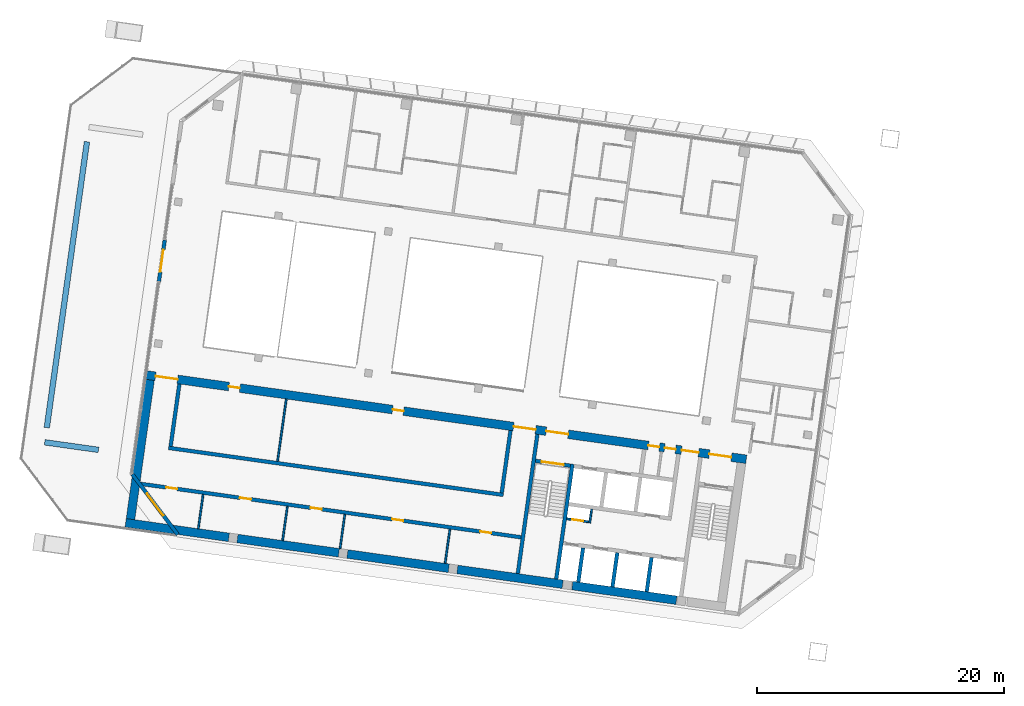
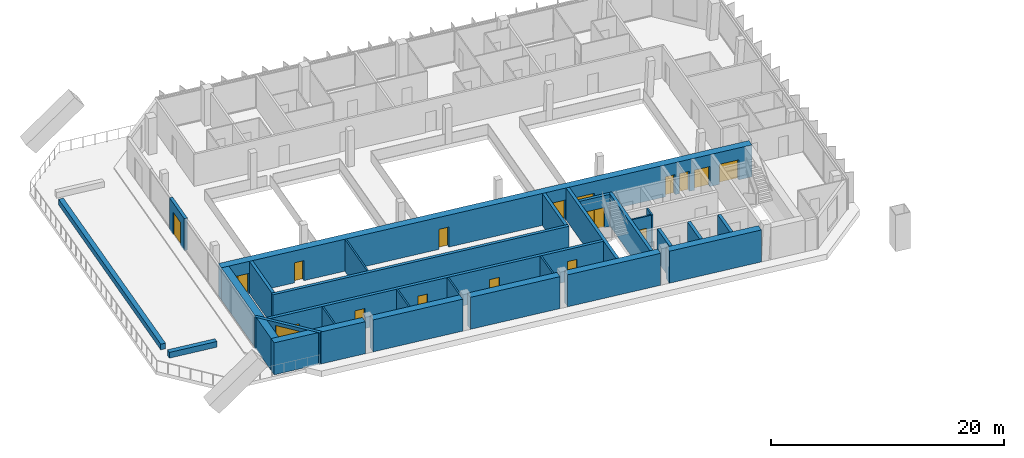
# One storey, part 13 of 23: 28 walls, 17 doors, 1 window, 18 openings.
"""IFC4 building model written with IfcOpenShell, lengths in metres."""

from ifc_helpers import new_model, si_unit, direction, frame, frame_2d, origin, place, context, subcontext, project, spatial, rectangle, extrude, material, layer, layer_set, type_object, element, fill, save


model = new_model("IFC4")

# Units and contexts
model_context = context("Model", 3, precision=1e-05, world=origin(), true_north=direction((0.0, 1.0)))
body_context = subcontext(model_context, "Body", "Model", "MODEL_VIEW")
ifc_project = project(units=[si_unit("LENGTHUNIT", "METRE"), si_unit("AREAUNIT", "SQUARE_METRE"), si_unit("VOLUMEUNIT", "CUBIC_METRE"), si_unit("PLANEANGLEUNIT", "RADIAN"), si_unit("MASSUNIT", "GRAM", prefix="KILO")], contexts=[model_context])

# Site, building, storey
site_placement = place(None, origin())
site = spatial("IfcSite", under=ifc_project, at=site_placement, CompositionType="ELEMENT")
building_placement = place(site_placement, origin())
building = spatial("IfcBuilding", under=site, at=building_placement, Name="Mirante Cascada Hotel Towers", CompositionType="ELEMENT")
storey_placement = place(building_placement, frame((0.0, 0.0, 180.2)))
storey = spatial("IfcBuildingStorey", under=building, at=storey_placement, Name="L42", CompositionType="ELEMENT", Elevation=180.2)

# Wall
ifc_material_1 = material(Name="Masonry block", Category="masonry")
ifc_layer_1 = layer(ifc_material_1, 0.15)
ifc_layer_set_1 = layer_set([ifc_layer_1], Name="Core room partition 150 block EI 30")
wall_type_1 = type_object("IfcWallType", Name="Core room partition 150 block EI 30", PredefinedType="PARTITIONING", material=ifc_layer_set_1)
wall_1_placement = place(storey_placement, frame((-48.2295, -12.793, 0.0), z_axis=(0.0, 0.0, 1.0), x_axis=(0.1391935, 0.9902652, 0.0)))
element("IfcWall", 1, at=wall_1_placement, inside=storey, type_object=wall_type_1, Name="Core wall partition T1 L42 2", PredefinedType="PARTITIONING", context=body_context, shape_type="SweptSolid", body=[
    extrude(rectangle(XDim=1.1251, YDim=0.15, at=frame_2d((0.5626, 0.0))), origin(), (0.0, 0.0, 1.0), 3.35),
])

# Wall, opening, door
wall_2_placement = place(storey_placement, frame((-48.2933, -12.7083, 0.0), z_axis=(0.0, 0.0, 1.0), x_axis=(-0.990268, 0.1391734, 0.0)))
wall_2 = element("IfcWall", 2, at=wall_2_placement, inside=storey, type_object=wall_type_1, Name="Core wall partition T1 L42 3", PredefinedType="PARTITIONING", context=body_context, shape_type="SweptSolid", body=[
    extrude(rectangle(XDim=1.8251, YDim=0.15, at=frame_2d((0.9126, 0.0))), origin(), (0.0, 0.0, 1.0), 3.35),
])
opening_1_placement = place(wall_2_placement, frame((0.4625, 0.0, 0.0)))
opening_1 = element("IfcOpeningElement", 3, at=opening_1_placement, cuts=wall_2, Name="Opening D1-42-C15", PredefinedType="OPENING", context=body_context, shape_type="SweptSolid", body=[
    extrude(rectangle(XDim=0.9, YDim=2.1, at=frame_2d((0.45, 1.05))), frame((0.0, 0.075, 0.0), z_axis=(0.0, -1.0, 0.0), x_axis=(1.0, 0.0, 0.0)), (0.0, 0.0, 1.0), 0.15),
])
ifc_material_2 = material(Name="Hollow metal fire door leaf")
door_type_1 = type_object("IfcDoorType", Name="Fire door 900x2100 FD60", OperationType="NOTDEFINED", PredefinedType="DOOR", material=ifc_material_2)
door_1_placement = place(opening_1_placement, origin())
door_1 = element("IfcDoor", 4, at=door_1_placement, inside=storey, type_object=door_type_1, Name="Riser door T1 L42 15", OperationType="SINGLE_SWING_LEFT", OverallHeight=2.1, OverallWidth=0.9, PredefinedType="DOOR", context=body_context, shape_type="SweptSolid", body=[
    extrude(rectangle(XDim=0.9, YDim=2.1, at=frame_2d((0.45, 1.05))), frame((0.0, 0.025, 0.0), z_axis=(0.0, -1.0, 0.0), x_axis=(1.0, 0.0, 0.0)), (0.0, 0.0, 1.0), 0.05),
])
fill(opening_1, door_1)

# Walls
for number, where, z_axis, x_axis, name in (
    (5, (-59.9495, -16.0688, 0.0), (0.0, 0.0, 1.0), (0.139176, 0.9902677, 0.0), "Core wall partition T1 L42 6"),
    (6, (-68.4658, -14.8719, 0.0), (0.0, 0.0, 1.0), (0.139176, 0.9902677, 0.0), "Core wall partition T1 L42 7"),
    (7, (-73.12, -14.2178, 0.0), (0.0, 0.0, 1.0), (0.139176, 0.9902677, 0.0), "Core wall partition T1 L42 8"),
    (8, (-79.9529, -13.2575, 0.0), (0.0, 0.0, 1.0), (0.139176, 0.9902677, 0.0), "Core wall partition T1 L42 9"),
):
    element("IfcWall", number, at=place(storey_placement, frame(where, z_axis=z_axis, x_axis=x_axis)), inside=storey, type_object=wall_type_1, Name=name, PredefinedType="PARTITIONING", context=body_context, shape_type="SweptSolid", body=[
        extrude(rectangle(XDim=2.8001, YDim=0.15, at=frame_2d((1.4, 0.0))), origin(), (0.0, 0.0, 1.0), 3.35),
    ])
wall_3_placement = place(storey_placement, frame((-73.5306, -7.7981, 0.0), z_axis=(0.0, 0.0, 1.0), x_axis=(0.1391782, 0.9902673, 0.0)))
element("IfcWall", 9, at=wall_3_placement, inside=storey, type_object=wall_type_1, Name="Core wall partition T1 L42 10", PredefinedType="PARTITIONING", context=body_context, shape_type="SweptSolid", body=[
    extrude(rectangle(XDim=5.0999, YDim=0.15, at=frame_2d((2.55, 0.0))), origin(), (0.0, 0.0, 1.0), 3.35),
])

# Wall, openings, doors
ifc_material_3 = material(Name="Masonry block", Category="masonry")
ifc_layer_2 = layer(ifc_material_3, 0.3)
ifc_layer_set_2 = layer_set([ifc_layer_2], Name="Core wall 300 block EI 120")
wall_type_2 = type_object("IfcWallType", Name="Core wall 300 block EI 120", PredefinedType="PARTITIONING", material=ifc_layer_set_2)
wall_4_placement = place(storey_placement, frame((-53.7953, -13.9547, 0.0), z_axis=(0.0, 0.0, 1.0), x_axis=(-0.9902681, 0.1391729, 0.0)))
wall_4 = element("IfcWall", 10, at=wall_4_placement, inside=storey, type_object=wall_type_2, Name="Core wall partition T1 L42 5", PredefinedType="PARTITIONING", context=body_context, shape_type="SweptSolid", body=[
    extrude(rectangle(XDim=31.2, YDim=0.3, at=frame_2d((15.6, 0.0))), origin(), (0.0, 0.0, 1.0), 3.35),
])
opening_2_placement = place(wall_4_placement, frame((2.45, 0.0, 0.0)))
opening_2 = element("IfcOpeningElement", 11, at=opening_2_placement, cuts=wall_4, Name="Opening D1-42-C18", PredefinedType="OPENING", context=body_context, shape_type="SweptSolid", body=[
    extrude(rectangle(XDim=0.9, YDim=2.1, at=frame_2d((0.45, 1.05))), frame((0.0, 0.15, 0.0), z_axis=(0.0, -1.0, 0.0), x_axis=(1.0, 0.0, 0.0)), (0.0, 0.0, 1.0), 0.3),
])
opening_3_placement = place(wall_4_placement, frame((9.65, 0.0, 0.0)))
opening_3 = element("IfcOpeningElement", 12, at=opening_3_placement, cuts=wall_4, Name="Opening D1-42-C19", PredefinedType="OPENING", context=body_context, shape_type="SweptSolid", body=[
    extrude(rectangle(XDim=0.9, YDim=2.1, at=frame_2d((0.45, 1.05))), frame((0.0, 0.15, 0.0), z_axis=(0.0, -1.0, 0.0), x_axis=(1.0, 0.0, 0.0)), (0.0, 0.0, 1.0), 0.3),
])
opening_4_placement = place(wall_4_placement, frame((16.3, 0.0, 0.0)))
opening_4 = element("IfcOpeningElement", 13, at=opening_4_placement, cuts=wall_4, Name="Opening D1-42-C20", PredefinedType="OPENING", context=body_context, shape_type="SweptSolid", body=[
    extrude(rectangle(XDim=0.9, YDim=2.1, at=frame_2d((0.45, 1.05))), frame((0.0, 0.15, 0.0), z_axis=(0.0, -1.0, 0.0), x_axis=(1.0, 0.0, 0.0)), (0.0, 0.0, 1.0), 0.3),
])
opening_5_placement = place(wall_4_placement, frame((22.1, 0.0, 0.0)))
opening_5 = element("IfcOpeningElement", 14, at=opening_5_placement, cuts=wall_4, Name="Opening D1-42-C21", PredefinedType="OPENING", context=body_context, shape_type="SweptSolid", body=[
    extrude(rectangle(XDim=0.9, YDim=2.1, at=frame_2d((0.45, 1.05))), frame((0.0, 0.15, 0.0), z_axis=(0.0, -1.0, 0.0), x_axis=(1.0, 0.0, 0.0)), (0.0, 0.0, 1.0), 0.3),
])
opening_6_placement = place(wall_4_placement, frame((28.15, 0.0, 0.0)))
opening_6 = element("IfcOpeningElement", 15, at=opening_6_placement, cuts=wall_4, Name="Opening D1-42-C22", PredefinedType="OPENING", context=body_context, shape_type="SweptSolid", body=[
    extrude(rectangle(XDim=0.9, YDim=2.1, at=frame_2d((0.45, 1.05))), frame((0.0, 0.15, 0.0), z_axis=(0.0, -1.0, 0.0), x_axis=(1.0, 0.0, 0.0)), (0.0, 0.0, 1.0), 0.3),
])
door_2_placement = place(opening_2_placement, origin())
door_2 = element("IfcDoor", 16, at=door_2_placement, inside=storey, type_object=door_type_1, Name="Room door T1 L42 18", OperationType="SINGLE_SWING_RIGHT", OverallHeight=2.1, OverallWidth=0.9, PredefinedType="DOOR", context=body_context, shape_type="SweptSolid", body=[
    extrude(rectangle(XDim=0.9, YDim=2.1, at=frame_2d((0.45, 1.05))), frame((0.0, 0.025, 0.0), z_axis=(0.0, -1.0, 0.0), x_axis=(1.0, 0.0, 0.0)), (0.0, 0.0, 1.0), 0.05),
])
fill(opening_2, door_2)
door_3_placement = place(opening_3_placement, origin())
door_3 = element("IfcDoor", 17, at=door_3_placement, inside=storey, type_object=door_type_1, Name="Room door T1 L42 19", OperationType="SINGLE_SWING_RIGHT", OverallHeight=2.1, OverallWidth=0.9, PredefinedType="DOOR", context=body_context, shape_type="SweptSolid", body=[
    extrude(rectangle(XDim=0.9, YDim=2.1, at=frame_2d((0.45, 1.05))), frame((0.0, 0.025, 0.0), z_axis=(0.0, -1.0, 0.0), x_axis=(1.0, 0.0, 0.0)), (0.0, 0.0, 1.0), 0.05),
])
fill(opening_3, door_3)
door_4_placement = place(opening_4_placement, origin())
door_4 = element("IfcDoor", 18, at=door_4_placement, inside=storey, type_object=door_type_1, Name="Room door T1 L42 20", OperationType="SINGLE_SWING_LEFT", OverallHeight=2.1, OverallWidth=0.9, PredefinedType="DOOR", context=body_context, shape_type="SweptSolid", body=[
    extrude(rectangle(XDim=0.9, YDim=2.1, at=frame_2d((0.45, 1.05))), frame((0.0, 0.025, 0.0), z_axis=(0.0, -1.0, 0.0), x_axis=(1.0, 0.0, 0.0)), (0.0, 0.0, 1.0), 0.05),
])
fill(opening_4, door_4)
door_5_placement = place(opening_5_placement, origin())
door_5 = element("IfcDoor", 19, at=door_5_placement, inside=storey, type_object=door_type_1, Name="Room door T1 L42 21", OperationType="SINGLE_SWING_LEFT", OverallHeight=2.1, OverallWidth=0.9, PredefinedType="DOOR", context=body_context, shape_type="SweptSolid", body=[
    extrude(rectangle(XDim=0.9, YDim=2.1, at=frame_2d((0.45, 1.05))), frame((0.0, 0.025, 0.0), z_axis=(0.0, -1.0, 0.0), x_axis=(1.0, 0.0, 0.0)), (0.0, 0.0, 1.0), 0.05),
])
fill(opening_5, door_5)
door_6_placement = place(opening_6_placement, origin())
door_6 = element("IfcDoor", 20, at=door_6_placement, inside=storey, type_object=door_type_1, Name="Room door T1 L42 22", OperationType="SINGLE_SWING_LEFT", OverallHeight=2.1, OverallWidth=0.9, PredefinedType="DOOR", context=body_context, shape_type="SweptSolid", body=[
    extrude(rectangle(XDim=0.9, YDim=2.1, at=frame_2d((0.45, 1.05))), frame((0.0, 0.025, 0.0), z_axis=(0.0, -1.0, 0.0), x_axis=(1.0, 0.0, 0.0)), (0.0, 0.0, 1.0), 0.05),
])
fill(opening_6, door_6)

# Walls
ifc_material_4 = material(Name="Precast concrete C40/50", Category="concrete")
ifc_layer_3 = layer(ifc_material_4, 0.45)
ifc_layer_set_3 = layer_set([ifc_layer_3], Name="Planter wall 450 concrete C40/50")
wall_type_3 = type_object("IfcWallType", Name="Planter wall 450 concrete C40/50", PredefinedType="PARAPET", material=ifc_layer_set_3)
wall_5_placement = place(storey_placement, frame((-88.0426, -6.8694, 0.0), z_axis=(0.0, 0.0, 1.0), x_axis=(-0.9902696, 0.1391619, 0.0)))
element("IfcWall", 21, at=wall_5_placement, inside=storey, type_object=wall_type_3, Name="PLANTER T1 L42 bed 1", PredefinedType="PARAPET", context=body_context, shape_type="SweptSolid", body=[
    extrude(rectangle(XDim=4.3999, YDim=0.45, at=frame_2d((2.2, 0.0))), origin(), (0.0, 0.0, 1.0), 0.6),
])
wall_6_placement = place(storey_placement, frame((-92.2327, -5.0687, 0.0), z_axis=(0.0, 0.0, 1.0), x_axis=(0.1391714, 0.9902683, 0.0)))
element("IfcWall", 22, at=wall_6_placement, inside=storey, type_object=wall_type_3, Name="PLANTER T1 L42 bed 3", PredefinedType="PARAPET", context=body_context, shape_type="SweptSolid", body=[
    extrude(rectangle(XDim=23.3999, YDim=0.45, at=frame_2d((11.7, 0.0))), origin(), (0.0, 0.0, 1.0), 0.6),
])

# Wall, opening, window
ifc_material_5 = material(Name="Precast concrete C40/50", Category="concrete")
ifc_layer_4 = layer(ifc_material_5, 0.3)
ifc_layer_set_4 = layer_set([ifc_layer_4], Name="Precast concrete C40/50 cladding wall 300")
wall_type_4 = type_object("IfcWallType", Name="Precast concrete C40/50 cladding wall 300", PredefinedType="STANDARD", material=ifc_layer_set_4)
wall_7_placement = place(storey_placement, frame((-81.6175, -13.7366, 0.0), z_axis=(0.0, 0.0, 1.0), x_axis=(-0.6018141, 0.7986362, 0.0)))
wall_7 = element("IfcWall", 23, at=wall_7_placement, inside=storey, type_object=wall_type_4, Name="Corner cladding wall T1 L42 rear outer", PredefinedType="STANDARD", context=body_context, shape_type="SweptSolid", body=[
    extrude(rectangle(XDim=6.1157, YDim=0.3, at=frame_2d((3.0578, 0.0))), origin(), (0.0, 0.0, 1.0), 3.35),
])
opening_7_placement = place(wall_7_placement, frame((1.9578, 0.0, 0.6)))
opening_7 = element("IfcOpeningElement", 24, at=opening_7_placement, cuts=wall_7, Name="Opening W1-42-01", PredefinedType="OPENING", context=body_context, shape_type="SweptSolid", body=[
    extrude(rectangle(XDim=2.2, YDim=2.4, at=frame_2d((1.1, 1.2))), frame((0.0, 0.15, 0.0), z_axis=(0.0, -1.0, 0.0), x_axis=(1.0, 0.0, 0.0)), (0.0, 0.0, 1.0), 0.3),
])
ifc_material_6 = material(Name="Aluminium frame with clear double glazing", Category="aluminium")
window_type = type_object("IfcWindowType", Name="Corner suite window 2200x2400", PartitioningType="DOUBLE_PANEL_VERTICAL", PredefinedType="WINDOW", material=ifc_material_6)
window_placement = place(opening_7_placement, origin())
window = element("IfcWindow", 25, at=window_placement, inside=storey, type_object=window_type, Name="Window W1-42-01", OverallHeight=2.4, OverallWidth=2.2, PartitioningType="SINGLE_PANEL", PredefinedType="WINDOW", context=body_context, shape_type="SweptSolid", body=[
    extrude(rectangle(XDim=2.2, YDim=2.4, at=frame_2d((1.1, 1.2))), frame((0.0, 0.03, 0.0), z_axis=(0.0, -1.0, 0.0), x_axis=(1.0, 0.0, 0.0)), (0.0, 0.0, 1.0), 0.06),
])
fill(opening_7, window)

# Wall, opening, door
ifc_material_7 = material(Name="Precast concrete C40/50", Category="concrete")
ifc_layer_5 = layer(ifc_material_7, 0.3)
ifc_layer_set_5 = layer_set([ifc_layer_5], Name="Precast concrete C40/50 terrace wall 300")
wall_type_5 = type_object("IfcWallType", Name="Precast concrete C40/50 terrace wall 300", PredefinedType="STANDARD", material=ifc_layer_set_5)
wall_8_placement = place(storey_placement, frame((-83.145, 6.7818, 0.0), z_axis=(0.0, 0.0, 1.0), x_axis=(0.1391769, 0.9902675, 0.0)))
wall_8 = element("IfcWall", 26, at=wall_8_placement, inside=storey, type_object=wall_type_5, Name="Lounge door pier wall T1 L42 2", PredefinedType="STANDARD", context=body_context, shape_type="SweptSolid", body=[
    extrude(rectangle(XDim=3.4, YDim=0.3, at=frame_2d((1.7, 0.0))), origin(), (0.0, 0.0, 1.0), 3.35),
])
opening_8_placement = place(wall_8_placement, frame((0.8, 0.0, 0.0)))
opening_8 = element("IfcOpeningElement", 27, at=opening_8_placement, cuts=wall_8, Name="Opening D1-42-91", PredefinedType="OPENING", context=body_context, shape_type="SweptSolid", body=[
    extrude(rectangle(XDim=1.8, YDim=2.4, at=frame_2d((0.9, 1.2))), frame((0.0, 0.15, 0.0), z_axis=(0.0, -1.0, 0.0), x_axis=(1.0, 0.0, 0.0)), (0.0, 0.0, 1.0), 0.3),
])
ifc_material_8 = material(Name="Aluminium frame with clear laminated glazing", Category="aluminium")
door_type_2 = type_object("IfcDoorType", Name="Terrace double door 1800x2400", OperationType="DOUBLE_DOOR_SINGLE_SWING", PredefinedType="DOOR", material=ifc_material_8)
door_7_placement = place(opening_8_placement, origin())
door_7 = element("IfcDoor", 28, at=door_7_placement, inside=storey, type_object=door_type_2, Name="Terrace door D1-42-91", OperationType="DOUBLE_DOOR_SINGLE_SWING", OverallHeight=2.4, OverallWidth=1.8, PredefinedType="DOOR", context=body_context, shape_type="SweptSolid", body=[
    extrude(rectangle(XDim=0.895, YDim=2.4, at=frame_2d((0.4475, 1.2))), frame((0.0, 0.025, 0.0), z_axis=(0.0, -1.0, 0.0), x_axis=(1.0, 0.0, 0.0)), (0.0, 0.0, 1.0), 0.05),
    extrude(rectangle(XDim=0.895, YDim=2.4, at=frame_2d((1.3525, 1.2))), frame((0.0, 0.025, 0.0), z_axis=(0.0, -1.0, 0.0), x_axis=(1.0, 0.0, 0.0)), (0.0, 0.0, 1.0), 0.05),
])
fill(opening_8, door_7)

# Walls
ifc_material_9 = material(Name="Concrete C50/60", Category="concrete")
ifc_layer_6 = layer(ifc_material_9, 0.3)
ifc_layer_set_6 = layer_set([ifc_layer_6], Name="RC core wall 300 C50/60")
wall_type_6 = type_object("IfcWallType", Name="RC core wall 300 C50/60", PredefinedType="SHEAR", material=ifc_layer_set_6)
wall_9_placement = place(storey_placement, frame((-50.938, -17.3352, 0.0), z_axis=(0.0, 0.0, 1.0), x_axis=(0.1391706, 0.9902684, 0.0)))
element("IfcWall", 29, at=wall_9_placement, inside=storey, type_object=wall_type_6, Name="Core wall T1:L42:6", PredefinedType="SHEAR", context=body_context, shape_type="SweptSolid", body=[
    extrude(rectangle(XDim=9.4, YDim=0.3, at=frame_2d((4.7, 0.0))), origin(), (0.0, 0.0, 1.0), 3.35),
])
wall_10_placement = place(storey_placement, frame((-54.0574, -16.8968, 0.0), z_axis=(0.0, 0.0, 1.0), x_axis=(0.1391761, 0.9902677, 0.0)))
element("IfcWall", 30, at=wall_10_placement, inside=storey, type_object=wall_type_6, Name="Core wall T1:L42:7", PredefinedType="SHEAR", context=body_context, shape_type="SweptSolid", body=[
    extrude(rectangle(XDim=11.3999, YDim=0.3, at=frame_2d((5.7, 0.0))), origin(), (0.0, 0.0, 1.0), 3.35),
])

# Wall, opening, door
wall_11_placement = place(storey_placement, frame((-49.7992, -8.1544, 0.0), z_axis=(0.0, 0.0, 1.0), x_axis=(-0.9902656, 0.1391909, 0.0)))
wall_11 = element("IfcWall", 31, at=wall_11_placement, inside=storey, type_object=wall_type_6, Name="Core wall T1:L42:9", PredefinedType="SHEAR", context=body_context, shape_type="SweptSolid", body=[
    extrude(rectangle(XDim=2.85, YDim=0.3, at=frame_2d((1.425, 0.0))), origin(), (0.0, 0.0, 1.0), 3.35),
])
opening_9_placement = place(wall_11_placement, frame((0.525, 0.0, 0.0)))
opening_9 = element("IfcOpeningElement", 32, at=opening_9_placement, cuts=wall_11, Name="Opening D1-42-C09", PredefinedType="OPENING", context=body_context, shape_type="SweptSolid", body=[
    extrude(rectangle(XDim=1.8, YDim=2.1, at=frame_2d((0.9, 1.05))), frame((0.0, 0.15, 0.0), z_axis=(0.0, -1.0, 0.0), x_axis=(1.0, 0.0, 0.0)), (0.0, 0.0, 1.0), 0.3),
])
ifc_material_10 = material(Name="Hollow metal fire door leaf")
door_type_3 = type_object("IfcDoorType", Name="Double fire door 1800x2100 FD60", OperationType="DOUBLE_DOOR_SINGLE_SWING", PredefinedType="DOOR", material=ifc_material_10)
door_8_placement = place(opening_9_placement, origin())
door_8 = element("IfcDoor", 33, at=door_8_placement, inside=storey, type_object=door_type_3, Name="Stair door T1 L42 9", OperationType="DOUBLE_DOOR_SINGLE_SWING", OverallHeight=2.1, OverallWidth=1.8, PredefinedType="DOOR", context=body_context, shape_type="SweptSolid", body=[
    extrude(rectangle(XDim=0.895, YDim=2.1, at=frame_2d((0.4475, 1.05))), frame((0.0, 0.025, 0.0), z_axis=(0.0, -1.0, 0.0), x_axis=(1.0, 0.0, 0.0)), (0.0, 0.0, 1.0), 0.05),
    extrude(rectangle(XDim=0.895, YDim=2.1, at=frame_2d((1.3525, 1.05))), frame((0.0, 0.025, 0.0), z_axis=(0.0, -1.0, 0.0), x_axis=(1.0, 0.0, 0.0)), (0.0, 0.0, 1.0), 0.05),
])
fill(opening_9, door_8)

# Walls
wall_12_placement = place(storey_placement, frame((-43.61, -18.3651, 0.0), z_axis=(0.0, 0.0, 1.0), x_axis=(0.1391459, 0.9902719, 0.0)))
element("IfcWall", 34, at=wall_12_placement, inside=storey, type_object=wall_type_6, Name="Core wall T1:L42:13", PredefinedType="SHEAR", context=body_context, shape_type="SweptSolid", body=[
    extrude(rectangle(XDim=2.7999, YDim=0.3, at=frame_2d((1.4, 0.0))), origin(), (0.0, 0.0, 1.0), 3.35),
])
wall_13_placement = place(storey_placement, frame((-46.3828, -17.9754, 0.0), z_axis=(0.0, 0.0, 1.0), x_axis=(0.139181, 0.990267, 0.0)))
element("IfcWall", 35, at=wall_13_placement, inside=storey, type_object=wall_type_6, Name="Core wall T1:L42:14", PredefinedType="SHEAR", context=body_context, shape_type="SweptSolid", body=[
    extrude(rectangle(XDim=2.8, YDim=0.3, at=frame_2d((1.4, 0.0))), origin(), (0.0, 0.0, 1.0), 3.35),
])
wall_14_placement = place(storey_placement, frame((-49.1555, -17.5857, 0.0), z_axis=(0.0, 0.0, 1.0), x_axis=(0.1391459, 0.9902719, 0.0)))
element("IfcWall", 36, at=wall_14_placement, inside=storey, type_object=wall_type_6, Name="Core wall T1:L42:15", PredefinedType="SHEAR", context=body_context, shape_type="SweptSolid", body=[
    extrude(rectangle(XDim=2.7999, YDim=0.3, at=frame_2d((1.4, 0.0))), origin(), (0.0, 0.0, 1.0), 3.35),
])
wall_15_placement = place(storey_placement, frame((-55.2315, -10.5214, 0.0), z_axis=(0.0, 0.0, 1.0), x_axis=(-0.9902677, 0.1391754, 0.0)))
element("IfcWall", 37, at=wall_15_placement, inside=storey, type_object=wall_type_6, Name="Core wall T1:L42:28", PredefinedType="SHEAR", context=body_context, shape_type="SweptSolid", body=[
    extrude(rectangle(XDim=27.4, YDim=0.3, at=frame_2d((13.7, 0.0))), origin(), (0.0, 0.0, 1.0), 3.35),
])
for number, where, z_axis, x_axis, name in (
    (38, (-55.3592, -10.352, 0.0), (0.0, 0.0, 1.0), (0.1391755, 0.9902677, 0.0), "Core wall T1:L42:29"),
    (39, (-82.1954, -6.5804, 0.0), (0.0, 0.0, 1.0), (0.1391755, 0.9902677, 0.0), "Core wall T1:L42:30"),
):
    element("IfcWall", number, at=place(storey_placement, frame(where, z_axis=z_axis, x_axis=x_axis)), inside=storey, type_object=wall_type_6, Name=name, PredefinedType="SHEAR", context=body_context, shape_type="SweptSolid", body=[
        extrude(rectangle(XDim=5.1, YDim=0.3, at=frame_2d((2.55, 0.0))), origin(), (0.0, 0.0, 1.0), 3.35),
    ])
ifc_material_11 = material(Name="Concrete C50/60", Category="concrete")
ifc_layer_7 = layer(ifc_material_11, 0.7)
ifc_layer_set_7 = layer_set([ifc_layer_7], Name="RC core wall 700 C50/60")
wall_type_7 = type_object("IfcWallType", Name="RC core wall 700 C50/60", PredefinedType="SHEAR", material=ifc_layer_set_7)
wall_16_placement = place(storey_placement, frame((-41.2009, -19.0571, 0.0), z_axis=(0.0, 0.0, 1.0), x_axis=(-0.9902693, 0.1391646, 0.0)))
element("IfcWall", 40, at=wall_16_placement, inside=storey, type_object=wall_type_7, Name="Core wall T1:L42:1.2", PredefinedType="SHEAR", context=body_context, shape_type="SweptSolid", body=[
    extrude(rectangle(XDim=8.5252, YDim=0.7, at=frame_2d((4.2626, 0.0))), origin(), (0.0, 0.0, 1.0), 3.35),
])
wall_17_placement = place(storey_placement, frame((-50.4262, -17.7606, 0.0), z_axis=(0.0, 0.0, 1.0), x_axis=(-0.9902684, 0.1391705, 0.0)))
element("IfcWall", 41, at=wall_17_placement, inside=storey, type_object=wall_type_7, Name="Core wall T1:L42:1.3", PredefinedType="SHEAR", context=body_context, shape_type="SweptSolid", body=[
    extrude(rectangle(XDim=8.616, YDim=0.7, at=frame_2d((4.308, 0.0))), origin(), (0.0, 0.0, 1.0), 3.35),
])
for number, where, z_axis, x_axis, name in (
    (42, (-59.6516, -16.4641, 0.0), (0.0, 0.0, 1.0), (-0.990267, 0.139181, 0.0), "Core wall T1:L42:1.4"),
    (43, (-68.564, -15.2115, 0.0), (0.0, 0.0, 1.0), (-0.9902686, 0.1391692, 0.0), "Core wall T1:L42:1.5"),
):
    element("IfcWall", number, at=place(storey_placement, frame(where, z_axis=z_axis, x_axis=x_axis)), inside=storey, type_object=wall_type_7, Name=name, PredefinedType="SHEAR", context=body_context, shape_type="SweptSolid", body=[
        extrude(rectangle(XDim=8.3, YDim=0.7, at=frame_2d((4.15, 0.0))), origin(), (0.0, 0.0, 1.0), 3.35),
    ])
wall_18_placement = place(storey_placement, frame((-77.4764, -13.9589, 0.0), z_axis=(0.0, 0.0, 1.0), x_axis=(-0.9902684, 0.1391711, 0.0)))
element("IfcWall", 44, at=wall_18_placement, inside=storey, type_object=wall_type_7, Name="Core wall T1:L42:1.6", PredefinedType="SHEAR", context=body_context, shape_type="SweptSolid", body=[
    extrude(rectangle(XDim=8.45, YDim=0.7, at=frame_2d((4.225, 0.0))), origin(), (0.0, 0.0, 1.0), 3.35),
])

# Wall, openings, doors
wall_19_placement = place(storey_placement, frame((-35.538, -7.6341, 0.0), z_axis=(0.0, 0.0, 1.0), x_axis=(-0.9902681, 0.139173, 0.0)))
wall_19 = element("IfcWall", 45, at=wall_19_placement, inside=storey, type_object=wall_type_7, Name="Core wall T1:L42:2", PredefinedType="SHEAR", context=body_context, shape_type="SweptSolid", body=[
    extrude(rectangle(XDim=49.1, YDim=0.7, at=frame_2d((24.55, 0.0))), origin(), (0.0, 0.0, 1.0), 3.35),
])
opening_10_placement = place(wall_19_placement, frame((1.225, 0.0, 0.0)))
opening_10 = element("IfcOpeningElement", 46, at=opening_10_placement, cuts=wall_19, Name="Opening D1-42-C08", PredefinedType="OPENING", context=body_context, shape_type="SweptSolid", body=[
    extrude(rectangle(XDim=1.8, YDim=2.1, at=frame_2d((0.9, 1.05))), frame((0.0, 0.35, 0.0), z_axis=(0.0, -1.0, 0.0), x_axis=(1.0, 0.0, 0.0)), (0.0, 0.0, 1.0), 0.7),
])
opening_11_placement = place(wall_19_placement, frame((14.575, 0.0, 0.0)))
opening_11 = element("IfcOpeningElement", 47, at=opening_11_placement, cuts=wall_19, Name="Opening D1-42-C10", PredefinedType="OPENING", context=body_context, shape_type="SweptSolid", body=[
    extrude(rectangle(XDim=1.8, YDim=2.1, at=frame_2d((0.9, 1.05))), frame((0.0, 0.35, 0.0), z_axis=(0.0, -1.0, 0.0), x_axis=(1.0, 0.0, 0.0)), (0.0, 0.0, 1.0), 0.7),
])
opening_12_placement = place(wall_19_placement, frame((3.9, 0.0, 0.0)))
opening_12 = element("IfcOpeningElement", 48, at=opening_12_placement, cuts=wall_19, Name="Opening D1-42-C11", PredefinedType="OPENING", context=body_context, shape_type="SweptSolid", body=[
    extrude(rectangle(XDim=1.4, YDim=2.1, at=frame_2d((0.7, 1.05))), frame((0.0, 0.35, 0.0), z_axis=(0.0, -1.0, 0.0), x_axis=(1.0, 0.0, 0.0)), (0.0, 0.0, 1.0), 0.7),
])
opening_13_placement = place(wall_19_placement, frame((17.25, 0.0, 0.0)))
opening_13 = element("IfcOpeningElement", 49, at=opening_13_placement, cuts=wall_19, Name="Opening D1-42-C12", PredefinedType="OPENING", context=body_context, shape_type="SweptSolid", body=[
    extrude(rectangle(XDim=1.8, YDim=2.1, at=frame_2d((0.9, 1.05))), frame((0.0, 0.35, 0.0), z_axis=(0.0, -1.0, 0.0), x_axis=(1.0, 0.0, 0.0)), (0.0, 0.0, 1.0), 0.7),
])
opening_14_placement = place(wall_19_placement, frame((46.55, 0.0, 0.0)))
opening_14 = element("IfcOpeningElement", 50, at=opening_14_placement, cuts=wall_19, Name="Opening D1-42-C13", PredefinedType="OPENING", context=body_context, shape_type="SweptSolid", body=[
    extrude(rectangle(XDim=1.8, YDim=2.1, at=frame_2d((0.9, 1.05))), frame((0.0, 0.35, 0.0), z_axis=(0.0, -1.0, 0.0), x_axis=(1.0, 0.0, 0.0)), (0.0, 0.0, 1.0), 0.7),
])
opening_15_placement = place(wall_19_placement, frame((5.7875, 0.0, 0.0)))
opening_15 = element("IfcOpeningElement", 51, at=opening_15_placement, cuts=wall_19, Name="Opening D1-42-C16", PredefinedType="OPENING", context=body_context, shape_type="SweptSolid", body=[
    extrude(rectangle(XDim=0.9, YDim=2.1, at=frame_2d((0.45, 1.05))), frame((0.0, 0.35, 0.0), z_axis=(0.0, -1.0, 0.0), x_axis=(1.0, 0.0, 0.0)), (0.0, 0.0, 1.0), 0.7),
])
opening_16_placement = place(wall_19_placement, frame((7.1125, 0.0, 0.0)))
opening_16 = element("IfcOpeningElement", 52, at=opening_16_placement, cuts=wall_19, Name="Opening D1-42-C17", PredefinedType="OPENING", context=body_context, shape_type="SweptSolid", body=[
    extrude(rectangle(XDim=0.9, YDim=2.1, at=frame_2d((0.45, 1.05))), frame((0.0, 0.35, 0.0), z_axis=(0.0, -1.0, 0.0), x_axis=(1.0, 0.0, 0.0)), (0.0, 0.0, 1.0), 0.7),
])
opening_17_placement = place(wall_19_placement, frame((28.05, 0.0, 0.0)))
opening_17 = element("IfcOpeningElement", 53, at=opening_17_placement, cuts=wall_19, Name="Opening D1-42-C23", PredefinedType="OPENING", context=body_context, shape_type="SweptSolid", body=[
    extrude(rectangle(XDim=0.9, YDim=2.1, at=frame_2d((0.45, 1.05))), frame((0.0, 0.35, 0.0), z_axis=(0.0, -1.0, 0.0), x_axis=(1.0, 0.0, 0.0)), (0.0, 0.0, 1.0), 0.7),
])
opening_18_placement = place(wall_19_placement, frame((41.45, 0.0, 0.0)))
opening_18 = element("IfcOpeningElement", 54, at=opening_18_placement, cuts=wall_19, Name="Opening D1-42-C24", PredefinedType="OPENING", context=body_context, shape_type="SweptSolid", body=[
    extrude(rectangle(XDim=0.9, YDim=2.1, at=frame_2d((0.45, 1.05))), frame((0.0, 0.35, 0.0), z_axis=(0.0, -1.0, 0.0), x_axis=(1.0, 0.0, 0.0)), (0.0, 0.0, 1.0), 0.7),
])
ifc_material_12 = material(Name="Hollow metal fire door leaf")
door_type_4 = type_object("IfcDoorType", Name="Double fire door 1400x2100 FD60", OperationType="DOUBLE_DOOR_SINGLE_SWING", PredefinedType="DOOR", material=ifc_material_12)
door_9_placement = place(opening_12_placement, frame((1.4, 0.0, 0.0), z_axis=(0.0, 0.0, 1.0), x_axis=(-1.0, 0.0, 0.0)))
door_9 = element("IfcDoor", 55, at=door_9_placement, inside=storey, type_object=door_type_4, Name="Exit door to gallery T1 L42 11", OperationType="DOUBLE_DOOR_SINGLE_SWING", OverallHeight=2.1, OverallWidth=1.4, PredefinedType="DOOR", context=body_context, shape_type="SweptSolid", body=[
    extrude(rectangle(XDim=0.695, YDim=2.1, at=frame_2d((0.3475, 1.05))), frame((0.0, 0.025, 0.0), z_axis=(0.0, -1.0, 0.0), x_axis=(1.0, 0.0, 0.0)), (0.0, 0.0, 1.0), 0.05),
    extrude(rectangle(XDim=0.695, YDim=2.1, at=frame_2d((1.0525, 1.05))), frame((0.0, 0.025, 0.0), z_axis=(0.0, -1.0, 0.0), x_axis=(1.0, 0.0, 0.0)), (0.0, 0.0, 1.0), 0.05),
])
fill(opening_12, door_9)
door_10_placement = place(opening_10_placement, origin())
door_10 = element("IfcDoor", 56, at=door_10_placement, inside=storey, type_object=door_type_3, Name="Exit door to gallery T1 L42 8", OperationType="DOUBLE_DOOR_SINGLE_SWING", OverallHeight=2.1, OverallWidth=1.8, PredefinedType="DOOR", context=body_context, shape_type="SweptSolid", body=[
    extrude(rectangle(XDim=0.895, YDim=2.1, at=frame_2d((0.4475, 1.05))), frame((0.0, 0.025, 0.0), z_axis=(0.0, -1.0, 0.0), x_axis=(1.0, 0.0, 0.0)), (0.0, 0.0, 1.0), 0.05),
    extrude(rectangle(XDim=0.895, YDim=2.1, at=frame_2d((1.3525, 1.05))), frame((0.0, 0.025, 0.0), z_axis=(0.0, -1.0, 0.0), x_axis=(1.0, 0.0, 0.0)), (0.0, 0.0, 1.0), 0.05),
])
fill(opening_10, door_10)
door_11_placement = place(opening_11_placement, origin())
door_11 = element("IfcDoor", 57, at=door_11_placement, inside=storey, type_object=door_type_3, Name="Exit door to gallery T1 L42 10", OperationType="DOUBLE_DOOR_SINGLE_SWING", OverallHeight=2.1, OverallWidth=1.8, PredefinedType="DOOR", context=body_context, shape_type="SweptSolid", body=[
    extrude(rectangle(XDim=0.895, YDim=2.1, at=frame_2d((0.4475, 1.05))), frame((0.0, 0.025, 0.0), z_axis=(0.0, -1.0, 0.0), x_axis=(1.0, 0.0, 0.0)), (0.0, 0.0, 1.0), 0.05),
    extrude(rectangle(XDim=0.895, YDim=2.1, at=frame_2d((1.3525, 1.05))), frame((0.0, 0.025, 0.0), z_axis=(0.0, -1.0, 0.0), x_axis=(1.0, 0.0, 0.0)), (0.0, 0.0, 1.0), 0.05),
])
fill(opening_11, door_11)
door_12_placement = place(opening_13_placement, frame((1.8, 0.0, 0.0), z_axis=(0.0, 0.0, 1.0), x_axis=(-1.0, 0.0, 0.0)))
door_12 = element("IfcDoor", 58, at=door_12_placement, inside=storey, type_object=door_type_3, Name="Exit door to gallery T1 L42 12", OperationType="DOUBLE_DOOR_SINGLE_SWING", OverallHeight=2.1, OverallWidth=1.8, PredefinedType="DOOR", context=body_context, shape_type="SweptSolid", body=[
    extrude(rectangle(XDim=0.895, YDim=2.1, at=frame_2d((0.4475, 1.05))), frame((0.0, 0.025, 0.0), z_axis=(0.0, -1.0, 0.0), x_axis=(1.0, 0.0, 0.0)), (0.0, 0.0, 1.0), 0.05),
    extrude(rectangle(XDim=0.895, YDim=2.1, at=frame_2d((1.3525, 1.05))), frame((0.0, 0.025, 0.0), z_axis=(0.0, -1.0, 0.0), x_axis=(1.0, 0.0, 0.0)), (0.0, 0.0, 1.0), 0.05),
])
fill(opening_13, door_12)
door_13_placement = place(opening_14_placement, frame((1.8, 0.0, 0.0), z_axis=(0.0, 0.0, 1.0), x_axis=(-1.0, 0.0, 0.0)))
door_13 = element("IfcDoor", 59, at=door_13_placement, inside=storey, type_object=door_type_3, Name="Exit door to gallery T1 L42 13", OperationType="DOUBLE_DOOR_SINGLE_SWING", OverallHeight=2.1, OverallWidth=1.8, PredefinedType="DOOR", context=body_context, shape_type="SweptSolid", body=[
    extrude(rectangle(XDim=0.895, YDim=2.1, at=frame_2d((0.4475, 1.05))), frame((0.0, 0.025, 0.0), z_axis=(0.0, -1.0, 0.0), x_axis=(1.0, 0.0, 0.0)), (0.0, 0.0, 1.0), 0.05),
    extrude(rectangle(XDim=0.895, YDim=2.1, at=frame_2d((1.3525, 1.05))), frame((0.0, 0.025, 0.0), z_axis=(0.0, -1.0, 0.0), x_axis=(1.0, 0.0, 0.0)), (0.0, 0.0, 1.0), 0.05),
])
fill(opening_14, door_13)
door_14_placement = place(opening_15_placement, origin())
door_14 = element("IfcDoor", 60, at=door_14_placement, inside=storey, type_object=door_type_1, Name="Room door T1 L42 16", OperationType="SINGLE_SWING_RIGHT", OverallHeight=2.1, OverallWidth=0.9, PredefinedType="DOOR", context=body_context, shape_type="SweptSolid", body=[
    extrude(rectangle(XDim=0.9, YDim=2.1, at=frame_2d((0.45, 1.05))), frame((0.0, 0.025, 0.0), z_axis=(0.0, -1.0, 0.0), x_axis=(1.0, 0.0, 0.0)), (0.0, 0.0, 1.0), 0.05),
])
fill(opening_15, door_14)
door_15_placement = place(opening_16_placement, origin())
door_15 = element("IfcDoor", 61, at=door_15_placement, inside=storey, type_object=door_type_1, Name="Room door T1 L42 17", OperationType="SINGLE_SWING_RIGHT", OverallHeight=2.1, OverallWidth=0.9, PredefinedType="DOOR", context=body_context, shape_type="SweptSolid", body=[
    extrude(rectangle(XDim=0.9, YDim=2.1, at=frame_2d((0.45, 1.05))), frame((0.0, 0.025, 0.0), z_axis=(0.0, -1.0, 0.0), x_axis=(1.0, 0.0, 0.0)), (0.0, 0.0, 1.0), 0.05),
])
fill(opening_16, door_15)
door_16_placement = place(opening_17_placement, origin())
door_16 = element("IfcDoor", 62, at=door_16_placement, inside=storey, type_object=door_type_1, Name="Room door T1 L42 23", OperationType="SINGLE_SWING_LEFT", OverallHeight=2.1, OverallWidth=0.9, PredefinedType="DOOR", context=body_context, shape_type="SweptSolid", body=[
    extrude(rectangle(XDim=0.9, YDim=2.1, at=frame_2d((0.45, 1.05))), frame((0.0, 0.025, 0.0), z_axis=(0.0, -1.0, 0.0), x_axis=(1.0, 0.0, 0.0)), (0.0, 0.0, 1.0), 0.05),
])
fill(opening_17, door_16)
door_17_placement = place(opening_18_placement, origin())
door_17 = element("IfcDoor", 63, at=door_17_placement, inside=storey, type_object=door_type_1, Name="Room door T1 L42 24", OperationType="SINGLE_SWING_LEFT", OverallHeight=2.1, OverallWidth=0.9, PredefinedType="DOOR", context=body_context, shape_type="SweptSolid", body=[
    extrude(rectangle(XDim=0.9, YDim=2.1, at=frame_2d((0.45, 1.05))), frame((0.0, 0.025, 0.0), z_axis=(0.0, -1.0, 0.0), x_axis=(1.0, 0.0, 0.0)), (0.0, 0.0, 1.0), 0.05),
])
fill(opening_18, door_17)

# Wall
wall_20_placement = place(storey_placement, frame((-85.4489, -12.485, 0.0), z_axis=(0.0, 0.0, 1.0), x_axis=(0.1391761, 0.9902677, 0.0)))
element("IfcWall", 64, at=wall_20_placement, inside=storey, type_object=wall_type_7, Name="Core wall T1:L42:4", PredefinedType="SHEAR", context=body_context, shape_type="SweptSolid", body=[
    extrude(rectangle(XDim=11.3999, YDim=0.7, at=frame_2d((5.7, 0.0))), origin(), (0.0, 0.0, 1.0), 3.35),
])

save(model, "model.ifc")
